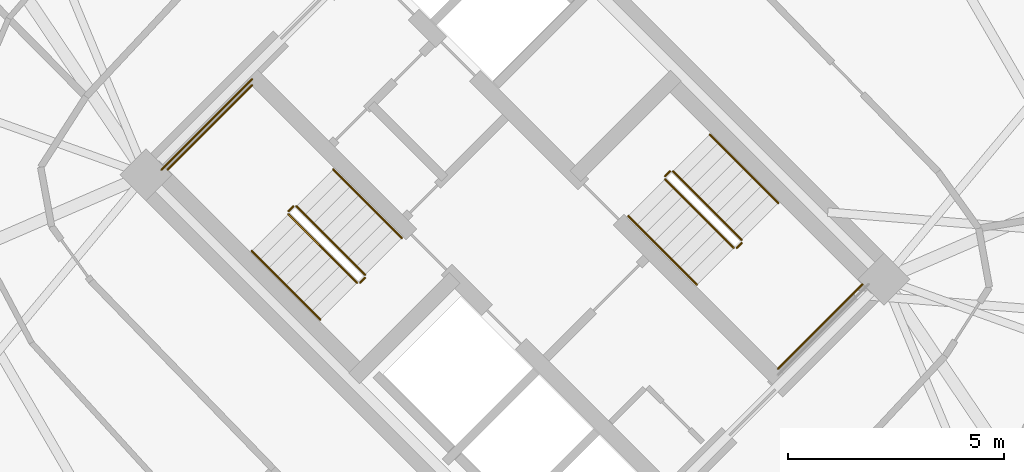
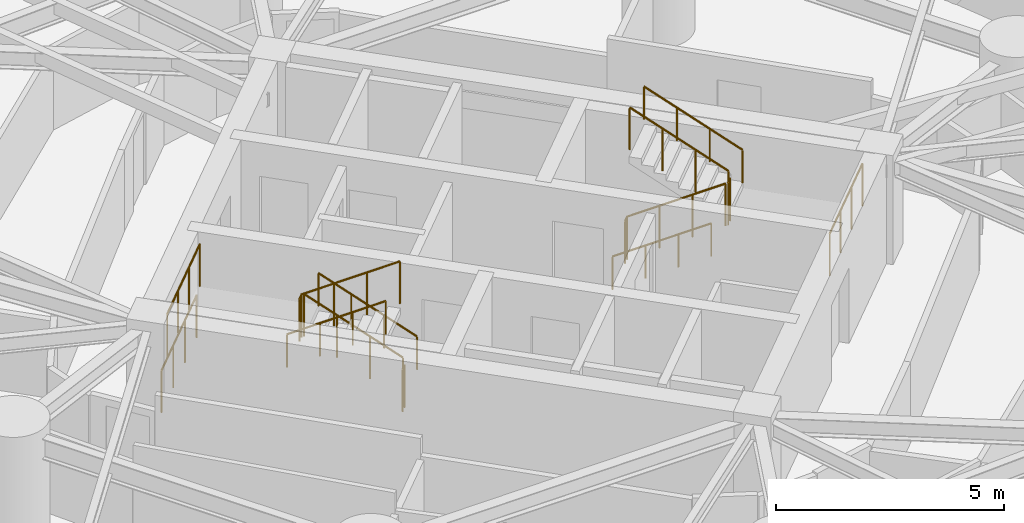
# One storey, part 17 of 18: 15 railings.
"""IFC4 building model written with IfcOpenShell, lengths in metres."""

import ifcopenshell
import ifcopenshell.guid

model = None  # the IFC model being written
_history = None  # IfcOwnerHistory: only IFC2X3 demands one
_inside = {}  # id of a spatial element -> (the spatial element, [elements in it])
_under = {}  # id of a project, library or spatial element -> (it, [spatial elements below it])
_declared = {}  # id of a project -> (the project, [libraries it declares])
_typed = {}  # id of a type object -> (the type object, [elements of that type])
_made_of = {}  # id of a material, layer set ... -> (it, [elements and type objects made of it])


def new_model(schema):
    """Start an empty IFC model of exactly this schema.

    Asked for "IFC4X3", IfcOpenShell would pick the latest addendum, in which some entities
    have other attributes; the version numbers below select the first issue.
    IFC2X3 requires an IfcOwnerHistory on every rooted entity: one is made here for all.
    """
    global model, _history
    if schema == "IFC4X3":
        model = ifcopenshell.file(schema_version=(4, 3, 0, 0))
    else:
        model = ifcopenshell.file(schema=schema)
    _inside.clear()
    _under.clear()
    _declared.clear()
    _typed.clear()
    _made_of.clear()
    _history = None
    if model.schema == "IFC2X3":
        org = make("IfcOrganization", Name="unknown")
        user = make(
            "IfcPersonAndOrganization",
            ThePerson=make("IfcPerson", FamilyName="unknown"),
            TheOrganization=org,
        )
        app = make(
            "IfcApplication",
            ApplicationDeveloper=org,
            Version="unknown",
            ApplicationFullName="unknown",
            ApplicationIdentifier="unknown",
        )
        _history = make(
            "IfcOwnerHistory",
            OwningUser=user,
            OwningApplication=app,
            ChangeAction="ADDED",
            CreationDate=0,
        )
    return model


def make(cls, **values):
    """One entity of the class cls with the attributes given. An attribute that is None is left unset."""
    return model.create_entity(
        cls, **{name: value for name, value in values.items() if value is not None}
    )


def rooted(cls, **values):
    """An entity with a GlobalId (a new one), such as an element, a storey or a relation."""
    return make(cls, GlobalId=ifcopenshell.guid.new(), OwnerHistory=_history, **values)


def si_unit(unit_type, name, prefix=None):
    """IfcSIUnit, for example si_unit("LENGTHUNIT", "METRE", prefix="MILLI")."""
    return make("IfcSIUnit", UnitType=unit_type, Prefix=prefix, Name=name)


def assignment(units):
    """IfcUnitAssignment: the units of a project."""
    return None if units is None else make("IfcUnitAssignment", Units=units)


def point(xyz):
    """IfcCartesianPoint."""
    return None if xyz is None else make("IfcCartesianPoint", Coordinates=xyz)


def direction(xyz):
    """IfcDirection."""
    return None if xyz is None else make("IfcDirection", DirectionRatios=xyz)


def frame(location, z_axis=None, x_axis=None):
    """IfcAxis2Placement3D, a coordinate frame: its origin and axes. An axis left out is left unset."""
    return make(
        "IfcAxis2Placement3D",
        Location=point(location),
        Axis=direction(z_axis),
        RefDirection=direction(x_axis),
    )


def frame_2d(location, x_axis=None):
    """IfcAxis2Placement2D, a coordinate frame in the plane: its origin and x axis."""
    return make(
        "IfcAxis2Placement2D", Location=point(location), RefDirection=direction(x_axis)
    )


def origin():
    """The frame at (0, 0, 0) with its axes left unset."""
    return frame((0.0, 0.0, 0.0))


def origin_2d():
    """The frame at (0, 0) in the plane with its x axis left unset."""
    return frame_2d((0.0, 0.0))


def place(relative_to, where):
    """IfcLocalPlacement: puts the frame where relative to a parent placement (None: the world)."""
    return make(
        "IfcLocalPlacement", PlacementRelTo=relative_to, RelativePlacement=where
    )


def context(
    kind, dimensions, precision=None, world=None, true_north=None, identifier=None
):
    """IfcGeometricRepresentationContext, for example the 3D "Model" context."""
    return make(
        "IfcGeometricRepresentationContext",
        ContextIdentifier=identifier,
        ContextType=kind,
        CoordinateSpaceDimension=dimensions,
        Precision=precision,
        WorldCoordinateSystem=world,
        TrueNorth=true_north,
    )


def subcontext(parent, identifier, kind, view, scale=None):
    """IfcGeometricRepresentationSubContext, for example "Body" below "Model"."""
    return make(
        "IfcGeometricRepresentationSubContext",
        ContextIdentifier=identifier,
        ContextType=kind,
        ParentContext=parent,
        TargetScale=scale,
        TargetView=view,
    )


def project(units=None, contexts=None):
    """IfcProject with its units and contexts."""
    return rooted(
        "IfcProject",
        Name="project",
        RepresentationContexts=contexts,
        UnitsInContext=assignment(units),
    )


def spatial(cls, under=None, at=None, **own):
    """A site, building, storey or space (cls), placed at a placement, below another one or the project."""
    s = rooted(cls, ObjectPlacement=at, **own)
    if under is not None:
        _under.setdefault(under.id(), (under, []))[1].append(s)
    return s


def profile(cls, at=None, kind="AREA", **sizes):
    """A parametric profile (cls). Its sizes go by their IFC names, for example OverallWidth=200.0."""
    return make(cls, ProfileType=kind, Position=at, **sizes)


def circle(**sizes):
    """IfcCircleProfileDef."""
    return profile("IfcCircleProfileDef", **sizes)


def extrude(swept, where, along, depth):
    """IfcExtrudedAreaSolid: the profile swept, set in the frame where, extruded along a direction by depth."""
    return make(
        "IfcExtrudedAreaSolid",
        SweptArea=swept,
        Position=where,
        ExtrudedDirection=direction(along),
        Depth=depth,
    )


def shape(context_of_items, identifier, shape_type, items):
    """IfcShapeRepresentation: the items that make up one representation, for example the "Body"."""
    return make(
        "IfcShapeRepresentation",
        ContextOfItems=context_of_items,
        RepresentationIdentifier=identifier,
        RepresentationType=shape_type,
        Items=items,
    )


def material(Name=None, Category=None):
    """IfcMaterial."""
    return make("IfcMaterial", Name=Name, Category=Category)


def made_of(thing, what):
    """Note that an element or type object is made of a material, layer set ...; save() writes the relation."""
    if what is not None:
        _made_of.setdefault(what.id(), (what, []))[1].append(thing)
    return thing


def type_object(cls, material=None, **own):
    """A type object (cls), such as IfcWallType, which elements share."""
    return made_of(rooted(cls, **own), material)


def element(
    cls,
    number,
    at=None,
    inside=None,
    cuts=None,
    type_object=None,
    material=None,
    context=None,
    identifier="Body",
    shape_type=None,
    held_by="IfcProductDefinitionShape",
    body=None,
    shapes=None,
    **own,
):
    """One element of the class cls, such as IfcWall. Its Tag is "e" and its number.

    at: its placement. inside: the storey or other place that contains it. cuts: it is an
    opening in that element (IfcRelVoidsElement). A single representation is given by context,
    identifier, shape_type and body (its items); several are given by shapes. held_by: the class
    of the entity that holds the representations. save() writes the other relations.
    """
    e = rooted(cls, Tag="e%d" % number, ObjectPlacement=at, **own)
    if body is not None:
        shapes = [shape(context, identifier, shape_type, body)]
    if shapes is not None:
        e.Representation = make(held_by, Representations=shapes)
    if inside is not None:
        _inside.setdefault(inside.id(), (inside, []))[1].append(e)
    if cuts is not None:
        rooted(
            "IfcRelVoidsElement", RelatingBuildingElement=cuts, RelatedOpeningElement=e
        )
    if type_object is not None:
        _typed.setdefault(type_object.id(), (type_object, []))[1].append(e)
    return made_of(e, material)


def aggregate(whole, parts):
    """IfcRelAggregates: a whole, such as a stair, and the parts it consists of."""
    return rooted("IfcRelAggregates", RelatingObject=whole, RelatedObjects=parts)


def save(model, path):
    """Write the relations noted so far, then the file.

    IfcRelAggregates (storeys below a building ...), IfcRelContainedInSpatialStructure (elements
    in a storey), IfcRelDefinesByType, IfcRelAssociatesMaterial and IfcRelDeclares: one each for
    every whole, place, type object, material and project.
    """
    for whole, parts in _under.values():
        aggregate(whole, parts)
    for where, things in _inside.values():
        rooted(
            "IfcRelContainedInSpatialStructure",
            RelatedElements=things,
            RelatingStructure=where,
        )
    for kind, things in _typed.values():
        rooted("IfcRelDefinesByType", RelatedObjects=things, RelatingType=kind)
    for what, things in _made_of.values():
        rooted("IfcRelAssociatesMaterial", RelatedObjects=things, RelatingMaterial=what)
    for by, libraries in _declared.values():
        rooted("IfcRelDeclares", RelatingContext=by, RelatedDefinitions=libraries)
    model.write(path)


model = new_model("IFC4")

# Units and contexts
model_context = context("Model", 3, precision=1e-05, world=origin(), true_north=direction((0.0, 1.0)))
body_context = subcontext(model_context, "Body", "Model", "MODEL_VIEW")
ifc_project = project(units=[si_unit("LENGTHUNIT", "METRE"), si_unit("AREAUNIT", "SQUARE_METRE"), si_unit("VOLUMEUNIT", "CUBIC_METRE"), si_unit("PLANEANGLEUNIT", "RADIAN"), si_unit("MASSUNIT", "GRAM", prefix="KILO")], contexts=[model_context])

# Site, building, storey
site_placement = place(None, origin())
site = spatial("IfcSite", under=ifc_project, at=site_placement, CompositionType="ELEMENT")
building_placement = place(site_placement, origin())
building = spatial("IfcBuilding", under=site, at=building_placement, Name="Cununo Teusaquillo Station Towers", CompositionType="ELEMENT")
storey_placement = place(building_placement, frame((0.0, 0.0, 56.919921875)))
storey = spatial("IfcBuildingStorey", under=building, at=storey_placement, Name="L17", CompositionType="ELEMENT", Elevation=56.919921875)

# Railings
ifc_material_1 = material(Name="Steel EN 10025-2 S355J2", Category="steel")
railing_type_1 = type_object("IfcRailingType", Name="RL-INT-GUARD", PredefinedType="GUARDRAIL", material=ifc_material_1)
railing_1_placement = place(storey_placement, frame((54.03515625, 23.39697265625, 0.161865234375)))
element("IfcRailing", 1, at=railing_1_placement, inside=storey, type_object=railing_type_1, Name="L17 ST-T2-1 stair guard 1", PredefinedType="GUARDRAIL", context=body_context, shape_type="SweptSolid", body=[
    extrude(circle(Radius=0.02392578125, at=origin_2d()), frame((0.0, 0.0, 1.1259765625), z_axis=(-0.612361259024, 0.612361259024, 0.500027376144), x_axis=(-0.707106781187, -0.707106781187, 0.0)), (0.0, 0.0, 1.0), 2.586181640625),
    extrude(circle(Radius=0.02099609375, at=origin_2d()), origin(), (0.0, 0.0, 1.0), 1.101806640625),
    extrude(circle(Radius=0.02099609375, at=origin_2d()), frame((-0.52783203125, 0.52783203125, 0.43115234375)), (0.0, 0.0, 1.0), 1.101806640625),
    extrude(circle(Radius=0.02099609375, at=origin_2d()), frame((-1.055908203125, 1.055908203125, 0.862060546875)), (0.0, 0.0, 1.0), 1.101806640625),
    extrude(circle(Radius=0.02099609375, at=origin_2d()), frame((-1.583740234375, 1.583740234375, 1.293212890625)), (0.0, 0.0, 1.0), 1.101806640625),
])
railing_2_placement = place(storey_placement, frame((52.380615234375, 24.980712890625, 1.455078125)))
element("IfcRailing", 2, at=railing_2_placement, inside=storey, type_object=railing_type_1, Name="L17 ST-T2-1 stair guard 2", PredefinedType="GUARDRAIL", context=body_context, shape_type="SweptSolid", body=[
    extrude(circle(Radius=0.02392578125, at=origin_2d()), frame((0.0, 0.0, 1.1259765625), z_axis=(-0.7078691598, -0.706343579714, 0.0), x_axis=(0.706343579714, -0.7078691598, 0.0)), (0.0, 0.0, 1.0), 0.159912109375),
    extrude(circle(Radius=0.02099609375, at=origin_2d()), origin(), (0.0, 0.0, 1.0), 1.101806640625),
    extrude(circle(Radius=0.02099609375, at=origin_2d()), frame((-0.11328125, -0.113037109375, 0.0)), (0.0, 0.0, 1.0), 1.101806640625),
])
railing_3_placement = place(storey_placement, frame((51.426025390625, 27.77392578125, 1.455078125)))
element("IfcRailing", 3, at=railing_3_placement, inside=storey, type_object=railing_type_1, Name="L17 ST-T2-1 stair guard 3", PredefinedType="GUARDRAIL", context=body_context, shape_type="SweptSolid", body=[
    extrude(circle(Radius=0.02392578125, at=origin_2d()), frame((0.0, 0.0, 1.1259765625), z_axis=(-0.707106781187, -0.707106781187, 0.0), x_axis=(0.707106781187, -0.707106781187, 0.0)), (0.0, 0.0, 1.0), 2.760009765625),
    extrude(circle(Radius=0.02099609375, at=origin_2d()), origin(), (0.0, 0.0, 1.0), 1.101806640625),
    extrude(circle(Radius=0.02099609375, at=origin_2d()), frame((-0.650634765625, -0.650634765625, 0.0)), (0.0, 0.0, 1.0), 1.101806640625),
    extrude(circle(Radius=0.02099609375, at=origin_2d()), frame((-1.301025390625, -1.301025390625, 0.0)), (0.0, 0.0, 1.0), 1.101806640625),
    extrude(circle(Radius=0.02099609375, at=origin_2d()), frame((-1.95166015625, -1.95166015625, 0.0)), (0.0, 0.0, 1.0), 1.101806640625),
])
railing_4_placement = place(storey_placement, frame((52.267333984375, 24.796875, 1.61669921875)))
element("IfcRailing", 4, at=railing_4_placement, inside=storey, type_object=railing_type_1, Name="L17 ST-T2-1 stair guard 4", PredefinedType="GUARDRAIL", context=body_context, shape_type="SweptSolid", body=[
    extrude(circle(Radius=0.02392578125, at=origin_2d()), frame((0.0, 0.0, 1.1259765625), z_axis=(0.612391349474, -0.612296961165, 0.500069261639), x_axis=(0.707052281454, 0.707161276719, 0.0)), (0.0, 0.0, 1.0), 2.586669921875),
    extrude(circle(Radius=0.02099609375, at=origin_2d()), origin(), (0.0, 0.0, 1.0), 1.101806640625),
    extrude(circle(Radius=0.02099609375, at=origin_2d()), frame((0.528076171875, -0.52783203125, 0.43115234375)), (0.0, 0.0, 1.0), 1.101806640625),
    extrude(circle(Radius=0.02099609375, at=origin_2d()), frame((1.055908203125, -1.055908203125, 0.8623046875)), (0.0, 0.0, 1.0), 1.101806640625),
    extrude(circle(Radius=0.02099609375, at=origin_2d()), frame((1.583984375, -1.583740234375, 1.29345703125)), (0.0, 0.0, 1.0), 1.101806640625),
])
railing_5_placement = place(storey_placement, frame((54.03515625, 23.326171875, 0.0)))
element("IfcRailing", 5, at=railing_5_placement, inside=storey, type_object=railing_type_1, Name="L17 ST-T2-1 stair guard 5", PredefinedType="GUARDRAIL", context=body_context, shape_type="SweptSolid", body=[
    extrude(circle(Radius=0.02392578125, at=origin_2d()), frame((0.0, 0.0, 1.1259765625), z_axis=(-0.707106781187, -0.707106781187, 0.0), x_axis=(0.707106781187, -0.707106781187, 0.0)), (0.0, 0.0, 1.0), 0.159912109375),
    extrude(circle(Radius=0.02099609375, at=origin_2d()), origin(), (0.0, 0.0, 1.0), 1.101806640625),
    extrude(circle(Radius=0.02099609375, at=origin_2d()), frame((-0.113037109375, -0.113037109375, 0.0)), (0.0, 0.0, 1.0), 1.101806640625),
])
railing_6_placement = place(storey_placement, frame((51.426025390625, 27.915283203125, 0.0)))
element("IfcRailing", 6, at=railing_6_placement, inside=storey, type_object=railing_type_1, Name="L17 ST-T2-1 stair guard 6", PredefinedType="GUARDRAIL", context=body_context, shape_type="SweptSolid", body=[
    extrude(circle(Radius=0.02392578125, at=origin_2d()), frame((0.0, 0.0, 1.1259765625), z_axis=(-0.707106781187, -0.707106781187, 0.0), x_axis=(0.707106781187, -0.707106781187, 0.0)), (0.0, 0.0, 1.0), 2.9599609375),
    extrude(circle(Radius=0.02099609375, at=origin_2d()), origin(), (0.0, 0.0, 1.0), 1.101806640625),
    extrude(circle(Radius=0.02099609375, at=origin_2d()), frame((-0.69775390625, -0.69775390625, 0.0)), (0.0, 0.0, 1.0), 1.101806640625),
    extrude(circle(Radius=0.02099609375, at=origin_2d()), frame((-1.395263671875, -1.395263671875, 0.0)), (0.0, 0.0, 1.0), 1.101806640625),
    extrude(circle(Radius=0.02099609375, at=origin_2d()), frame((-2.093017578125, -2.093017578125, 0.0)), (0.0, 0.0, 1.0), 1.101806640625),
])
railing_7_placement = place(storey_placement, frame((60.96484375, 25.60302734375, 0.161865234375)))
element("IfcRailing", 7, at=railing_7_placement, inside=storey, type_object=railing_type_1, Name="L17 ST-T2-2 stair guard 1", PredefinedType="GUARDRAIL", context=body_context, shape_type="SweptSolid", body=[
    extrude(circle(Radius=0.02392578125, at=origin_2d()), frame((0.0, 0.0, 1.1259765625), z_axis=(0.612361259024, -0.612361259024, 0.500027376144), x_axis=(0.707106781187, 0.707106781187, 0.0)), (0.0, 0.0, 1.0), 2.586181640625),
    extrude(circle(Radius=0.02099609375, at=origin_2d()), origin(), (0.0, 0.0, 1.0), 1.101806640625),
    extrude(circle(Radius=0.02099609375, at=origin_2d()), frame((0.52783203125, -0.52783203125, 0.43115234375)), (0.0, 0.0, 1.0), 1.101806640625),
    extrude(circle(Radius=0.02099609375, at=origin_2d()), frame((1.055908203125, -1.055908203125, 0.862060546875)), (0.0, 0.0, 1.0), 1.101806640625),
    extrude(circle(Radius=0.02099609375, at=origin_2d()), frame((1.583740234375, -1.583740234375, 1.293212890625)), (0.0, 0.0, 1.0), 1.101806640625),
])
railing_8_placement = place(storey_placement, frame((62.619384765625, 24.019287109375, 1.455078125)))
element("IfcRailing", 8, at=railing_8_placement, inside=storey, type_object=railing_type_1, Name="L17 ST-T2-2 stair guard 2", PredefinedType="GUARDRAIL", context=body_context, shape_type="SweptSolid", body=[
    extrude(circle(Radius=0.02392578125, at=origin_2d()), frame((0.0, 0.0, 1.1259765625), z_axis=(0.7078691598, 0.706343579714, 0.0), x_axis=(-0.706343579714, 0.7078691598, 0.0)), (0.0, 0.0, 1.0), 0.159912109375),
    extrude(circle(Radius=0.02099609375, at=origin_2d()), origin(), (0.0, 0.0, 1.0), 1.101806640625),
    extrude(circle(Radius=0.02099609375, at=origin_2d()), frame((0.11328125, 0.113037109375, 0.0)), (0.0, 0.0, 1.0), 1.101806640625),
])
railing_9_placement = place(storey_placement, frame((63.573974609375, 21.22607421875, 1.455078125)))
element("IfcRailing", 9, at=railing_9_placement, inside=storey, type_object=railing_type_1, Name="L17 ST-T2-2 stair guard 3", PredefinedType="GUARDRAIL", context=body_context, shape_type="SweptSolid", body=[
    extrude(circle(Radius=0.02392578125, at=origin_2d()), frame((0.0, 0.0, 1.1259765625), z_axis=(0.707106781187, 0.707106781187, 0.0), x_axis=(-0.707106781187, 0.707106781187, 0.0)), (0.0, 0.0, 1.0), 2.760009765625),
    extrude(circle(Radius=0.02099609375, at=origin_2d()), origin(), (0.0, 0.0, 1.0), 1.101806640625),
    extrude(circle(Radius=0.02099609375, at=origin_2d()), frame((0.650634765625, 0.650634765625, 0.0)), (0.0, 0.0, 1.0), 1.101806640625),
    extrude(circle(Radius=0.02099609375, at=origin_2d()), frame((1.301025390625, 1.301025390625, 0.0)), (0.0, 0.0, 1.0), 1.101806640625),
    extrude(circle(Radius=0.02099609375, at=origin_2d()), frame((1.95166015625, 1.95166015625, 0.0)), (0.0, 0.0, 1.0), 1.101806640625),
])
railing_10_placement = place(storey_placement, frame((62.732666015625, 24.203125, 1.61669921875)))
element("IfcRailing", 10, at=railing_10_placement, inside=storey, type_object=railing_type_1, Name="L17 ST-T2-2 stair guard 4", PredefinedType="GUARDRAIL", context=body_context, shape_type="SweptSolid", body=[
    extrude(circle(Radius=0.02392578125, at=origin_2d()), frame((0.0, 0.0, 1.1259765625), z_axis=(-0.612391349474, 0.612296961165, 0.500069261639), x_axis=(-0.707052281454, -0.707161276719, 0.0)), (0.0, 0.0, 1.0), 2.586669921875),
    extrude(circle(Radius=0.02099609375, at=origin_2d()), origin(), (0.0, 0.0, 1.0), 1.101806640625),
    extrude(circle(Radius=0.02099609375, at=origin_2d()), frame((-0.528076171875, 0.52783203125, 0.43115234375)), (0.0, 0.0, 1.0), 1.101806640625),
    extrude(circle(Radius=0.02099609375, at=origin_2d()), frame((-1.055908203125, 1.055908203125, 0.8623046875)), (0.0, 0.0, 1.0), 1.101806640625),
    extrude(circle(Radius=0.02099609375, at=origin_2d()), frame((-1.583984375, 1.583740234375, 1.29345703125)), (0.0, 0.0, 1.0), 1.101806640625),
])
railing_11_placement = place(storey_placement, frame((60.96484375, 25.673828125, 0.0)))
element("IfcRailing", 11, at=railing_11_placement, inside=storey, type_object=railing_type_1, Name="L17 ST-T2-2 stair guard 5", PredefinedType="GUARDRAIL", context=body_context, shape_type="SweptSolid", body=[
    extrude(circle(Radius=0.02392578125, at=origin_2d()), frame((0.0, 0.0, 1.1259765625), z_axis=(0.707106781187, 0.707106781187, 0.0), x_axis=(-0.707106781187, 0.707106781187, 0.0)), (0.0, 0.0, 1.0), 0.159912109375),
    extrude(circle(Radius=0.02099609375, at=origin_2d()), origin(), (0.0, 0.0, 1.0), 1.101806640625),
    extrude(circle(Radius=0.02099609375, at=origin_2d()), frame((0.113037109375, 0.113037109375, 0.0)), (0.0, 0.0, 1.0), 1.101806640625),
])
ifc_material_2 = material(Name="Steel EN 10025-2 S355J2", Category="steel")
railing_type_2 = type_object("IfcRailingType", Name="RL-INT-HRAIL", PredefinedType="HANDRAIL", material=ifc_material_2)
railing_12_placement = place(storey_placement, frame((54.8837890625, 24.245361328125, 0.161865234375)))
element("IfcRailing", 12, at=railing_12_placement, inside=storey, type_object=railing_type_2, Name="L17 ST-T2-1 stair handrail 1", PredefinedType="HANDRAIL", context=body_context, shape_type="SweptSolid", body=[
    extrude(circle(Radius=0.02392578125, at=origin_2d()), frame((0.0, 0.0, 0.8759765625), z_axis=(-0.612384857071, 0.612384857071, 0.499969572735), x_axis=(-0.707106781187, -0.707106781187, 0.0)), (0.0, 0.0, 1.0), 2.586669921875),
    extrude(circle(Radius=0.02099609375, at=origin_2d()), origin(), (0.0, 0.0, 1.0), 0.851806640625),
    extrude(circle(Radius=0.02099609375, at=origin_2d()), frame((-0.528076171875, 0.528076171875, 0.43115234375)), (0.0, 0.0, 1.0), 0.851806640625),
    extrude(circle(Radius=0.02099609375, at=origin_2d()), frame((-1.055908203125, 1.055908203125, 0.862060546875)), (0.0, 0.0, 1.0), 0.851806640625),
    extrude(circle(Radius=0.02099609375, at=origin_2d()), frame((-1.583984375, 1.583984375, 1.293212890625)), (0.0, 0.0, 1.0), 0.851806640625),
])
railing_13_placement = place(storey_placement, frame((51.4189453125, 23.948486328125, 1.61669921875)))
element("IfcRailing", 13, at=railing_13_placement, inside=storey, type_object=railing_type_2, Name="L17 ST-T2-1 stair handrail 2", PredefinedType="HANDRAIL", context=body_context, shape_type="SweptSolid", body=[
    extrude(circle(Radius=0.02392578125, at=origin_2d()), frame((0.0, 0.0, 0.8759765625), z_axis=(0.612355957468, -0.612355957468, 0.500040361077), x_axis=(0.707106781187, 0.707106781187, 0.0)), (0.0, 0.0, 1.0), 2.586669921875),
    extrude(circle(Radius=0.02099609375, at=origin_2d()), origin(), (0.0, 0.0, 1.0), 0.851806640625),
    extrude(circle(Radius=0.02099609375, at=origin_2d()), frame((0.528076171875, -0.528076171875, 0.43115234375)), (0.0, 0.0, 1.0), 0.851806640625),
    extrude(circle(Radius=0.02099609375, at=origin_2d()), frame((1.055908203125, -1.055908203125, 0.8623046875)), (0.0, 0.0, 1.0), 0.851806640625),
    extrude(circle(Radius=0.02099609375, at=origin_2d()), frame((1.583984375, -1.583984375, 1.29345703125)), (0.0, 0.0, 1.0), 0.851806640625),
])
railing_14_placement = place(storey_placement, frame((60.1162109375, 24.754638671875, 0.161865234375)))
element("IfcRailing", 14, at=railing_14_placement, inside=storey, type_object=railing_type_2, Name="L17 ST-T2-2 stair handrail 1", PredefinedType="HANDRAIL", context=body_context, shape_type="SweptSolid", body=[
    extrude(circle(Radius=0.02392578125, at=origin_2d()), frame((0.0, 0.0, 0.8759765625), z_axis=(0.612384857071, -0.612384857071, 0.499969572735), x_axis=(0.707106781187, 0.707106781187, 0.0)), (0.0, 0.0, 1.0), 2.586669921875),
    extrude(circle(Radius=0.02099609375, at=origin_2d()), origin(), (0.0, 0.0, 1.0), 0.851806640625),
    extrude(circle(Radius=0.02099609375, at=origin_2d()), frame((0.528076171875, -0.528076171875, 0.43115234375)), (0.0, 0.0, 1.0), 0.851806640625),
    extrude(circle(Radius=0.02099609375, at=origin_2d()), frame((1.055908203125, -1.055908203125, 0.862060546875)), (0.0, 0.0, 1.0), 0.851806640625),
    extrude(circle(Radius=0.02099609375, at=origin_2d()), frame((1.583984375, -1.583984375, 1.293212890625)), (0.0, 0.0, 1.0), 0.851806640625),
])
railing_15_placement = place(storey_placement, frame((63.5810546875, 25.051513671875, 1.61669921875)))
element("IfcRailing", 15, at=railing_15_placement, inside=storey, type_object=railing_type_2, Name="L17 ST-T2-2 stair handrail 2", PredefinedType="HANDRAIL", context=body_context, shape_type="SweptSolid", body=[
    extrude(circle(Radius=0.02392578125, at=origin_2d()), frame((0.0, 0.0, 0.8759765625), z_axis=(-0.612355957468, 0.612355957468, 0.500040361077), x_axis=(-0.707106781187, -0.707106781187, 0.0)), (0.0, 0.0, 1.0), 2.586669921875),
    extrude(circle(Radius=0.02099609375, at=origin_2d()), origin(), (0.0, 0.0, 1.0), 0.851806640625),
    extrude(circle(Radius=0.02099609375, at=origin_2d()), frame((-0.528076171875, 0.528076171875, 0.43115234375)), (0.0, 0.0, 1.0), 0.851806640625),
    extrude(circle(Radius=0.02099609375, at=origin_2d()), frame((-1.055908203125, 1.055908203125, 0.8623046875)), (0.0, 0.0, 1.0), 0.851806640625),
    extrude(circle(Radius=0.02099609375, at=origin_2d()), frame((-1.583984375, 1.583984375, 1.29345703125)), (0.0, 0.0, 1.0), 0.851806640625),
])

save(model, "model.ifc")
